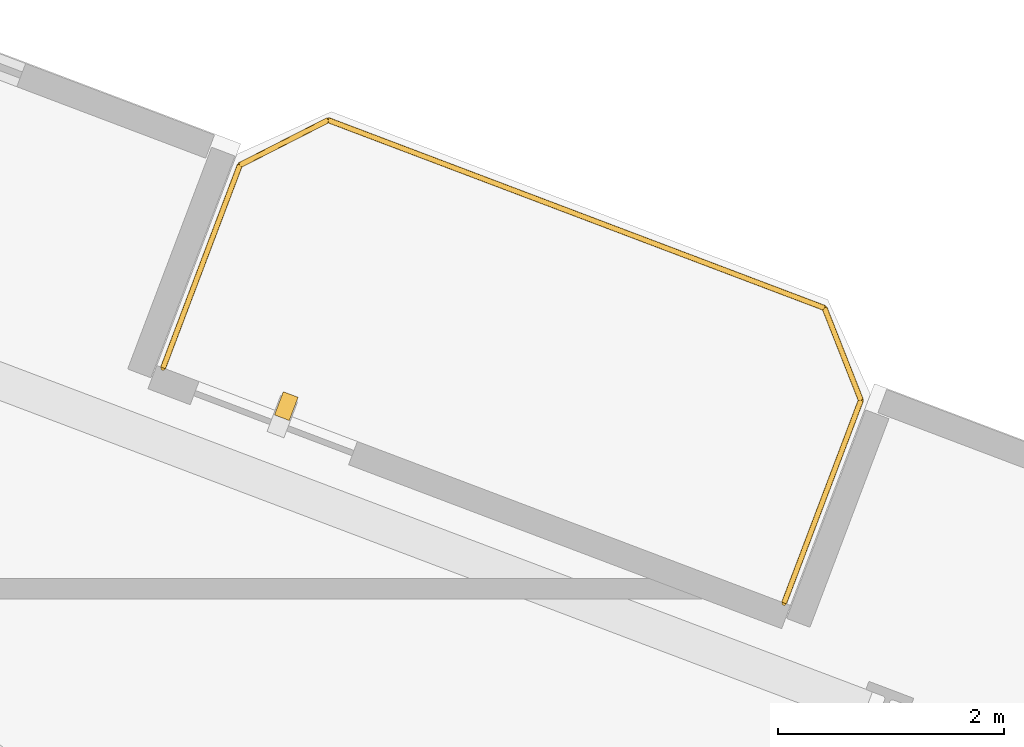
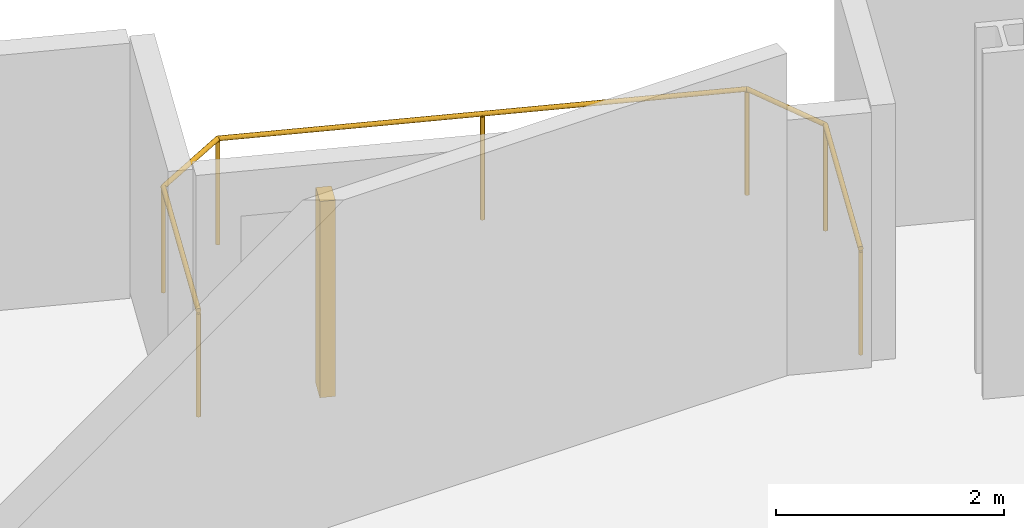
# One storey, part 25 of 25: 1 railing, 1 shading device.
"""IFC4 building model written with IfcOpenShell, lengths in metres."""

from ifc_helpers import new_model, si_unit, direction, frame, origin, origin_2d, place, context, subcontext, project, spatial, rectangle, circle, extrude, source, transform, mapped, material, type_object, element, save


model = new_model("IFC4")

# Units and contexts
model_context = context("Model", 3, precision=1e-05, world=origin(), true_north=direction((0.0, 1.0)))
body_context = subcontext(model_context, "Body", "Model", "MODEL_VIEW")
ifc_project = project(units=[si_unit("LENGTHUNIT", "METRE"), si_unit("AREAUNIT", "SQUARE_METRE"), si_unit("VOLUMEUNIT", "CUBIC_METRE"), si_unit("PLANEANGLEUNIT", "RADIAN"), si_unit("MASSUNIT", "GRAM", prefix="KILO")], contexts=[model_context])

# Site, building, storey
site_placement = place(None, origin())
site = spatial("IfcSite", under=ifc_project, at=site_placement, CompositionType="ELEMENT")
building_placement = place(site_placement, origin())
building = spatial("IfcBuilding", under=site, at=building_placement, Name="Varnelok Gate Tower", CompositionType="ELEMENT")
storey_placement = place(building_placement, frame((0.0, 0.0, 79.89990234375)))
storey = spatial("IfcBuildingStorey", under=building, at=storey_placement, Name="L19", CompositionType="ELEMENT", Elevation=79.89990234375)

# Railing
ifc_material_1 = material(Name="Low-E Laminated Double Glazing IGU", Category="glass")
railing_type = type_object("IfcRailingType", Name="RL-BALC-1150", PredefinedType="BALUSTRADE", material=ifc_material_1)
railing_placement = place(storey_placement, frame((57.49462890625, 41.256103515625, 0.0)))
element("IfcRailing", 1, at=railing_placement, inside=storey, type_object=railing_type, Name="L19 North Terrace Balustrade 6", PredefinedType="BALUSTRADE", context=body_context, shape_type="SweptSolid", body=[
    extrude(circle(Radius=0.02392578125, at=origin_2d()), frame((0.0, 0.0, 1.1259765625), z_axis=(0.354006333352, 0.935243025073, 0.0), x_axis=(-0.935243025073, 0.354006333352, 0.0)), (0.0, 0.0, 1.0), 1.919921875),
    extrude(circle(Radius=0.02392578125, at=origin_2d()), frame((0.6796875, 1.795654296875, 1.1259765625), z_axis=(0.89078254773, 0.454429810487, 0.0), x_axis=(-0.454429810487, 0.89078254773, 0.0)), (0.0, 0.0, 1.0), 0.8779296875),
    extrude(circle(Radius=0.02392578125, at=origin_2d()), frame((1.461669921875, 2.194580078125, 1.1259765625), z_axis=(0.935223045203, -0.354059113314, 0.0), x_axis=(0.354059113314, 0.935223045203, 0.0)), (0.0, 0.0, 1.0), 4.699951171875),
    extrude(circle(Radius=0.02392578125, at=origin_2d()), frame((5.857177734375, 0.530517578125, 1.1259765625), z_axis=(0.36659018357, -0.930382522036, 0.0), x_axis=(0.930382522036, 0.36659018357, 0.0)), (0.0, 0.0, 1.0), 0.877685546875),
    extrude(circle(Radius=0.02392578125, at=origin_2d()), frame((6.178955078125, -0.2861328125, 1.1259765625), z_axis=(-0.354117547856, -0.935200920819, 0.0), x_axis=(0.935200920819, -0.354117547856, 0.0)), (0.0, 0.0, 1.0), 1.920166015625),
    extrude(circle(Radius=0.02099609375, at=origin_2d()), origin(), (0.0, 0.0, 1.0), 1.101806640625),
    extrude(circle(Radius=0.02099609375, at=origin_2d()), frame((0.6796875, 1.795654296875, 0.0)), (0.0, 0.0, 1.0), 1.101806640625),
    extrude(circle(Radius=0.02099609375, at=origin_2d()), frame((1.461669921875, 2.194580078125, 0.0)), (0.0, 0.0, 1.0), 1.101806640625),
    extrude(circle(Radius=0.02099609375, at=origin_2d()), frame((3.659423828125, 1.362548828125, 0.0)), (0.0, 0.0, 1.0), 1.101806640625),
    extrude(circle(Radius=0.02099609375, at=origin_2d()), frame((5.857177734375, 0.530517578125, 0.0)), (0.0, 0.0, 1.0), 1.101806640625),
    extrude(circle(Radius=0.02099609375, at=origin_2d()), frame((6.178955078125, -0.2861328125, 0.0)), (0.0, 0.0, 1.0), 1.101806640625),
    extrude(circle(Radius=0.02099609375, at=origin_2d()), frame((5.4990234375, -2.081787109375, 0.0)), (0.0, 0.0, 1.0), 1.101806640625),
])

# Shading device
ifc_material_2 = material(Name="Glazed Architectural Terracotta Ceramic", Category="masonry")
shading_device_type = type_object("IfcShadingDeviceType", Name="SHD-TERRA-FIN", PredefinedType="USERDEFINED", material=ifc_material_2)
shared_shape = source(origin(), body_context, "Body", "SweptSolid", [
    extrude(rectangle(XDim=0.139892578125, YDim=0.219970703125, at=origin_2d()), origin(), (0.0, 0.0, 1.0), 2.10009765625),
])
shading_device_placement = place(storey_placement, frame((58.58544921875, 40.91796875, 0.10009765625), z_axis=(0.0, 0.0, 1.0), x_axis=(0.935221751401, -0.354062530786, 0.0)))
element("IfcShadingDevice", 2, at=shading_device_placement, inside=storey, type_object=shading_device_type, Name="L19 Terracotta Ceramic Baguette Sunscreen 6.1", ObjectType="BAGUETTE", PredefinedType="USERDEFINED", context=body_context, shape_type="MappedRepresentation", body=[
    mapped(shared_shape, transform((0.0, 0.0, 0.0), scale=1.0)),
])

save(model, "model.ifc")
